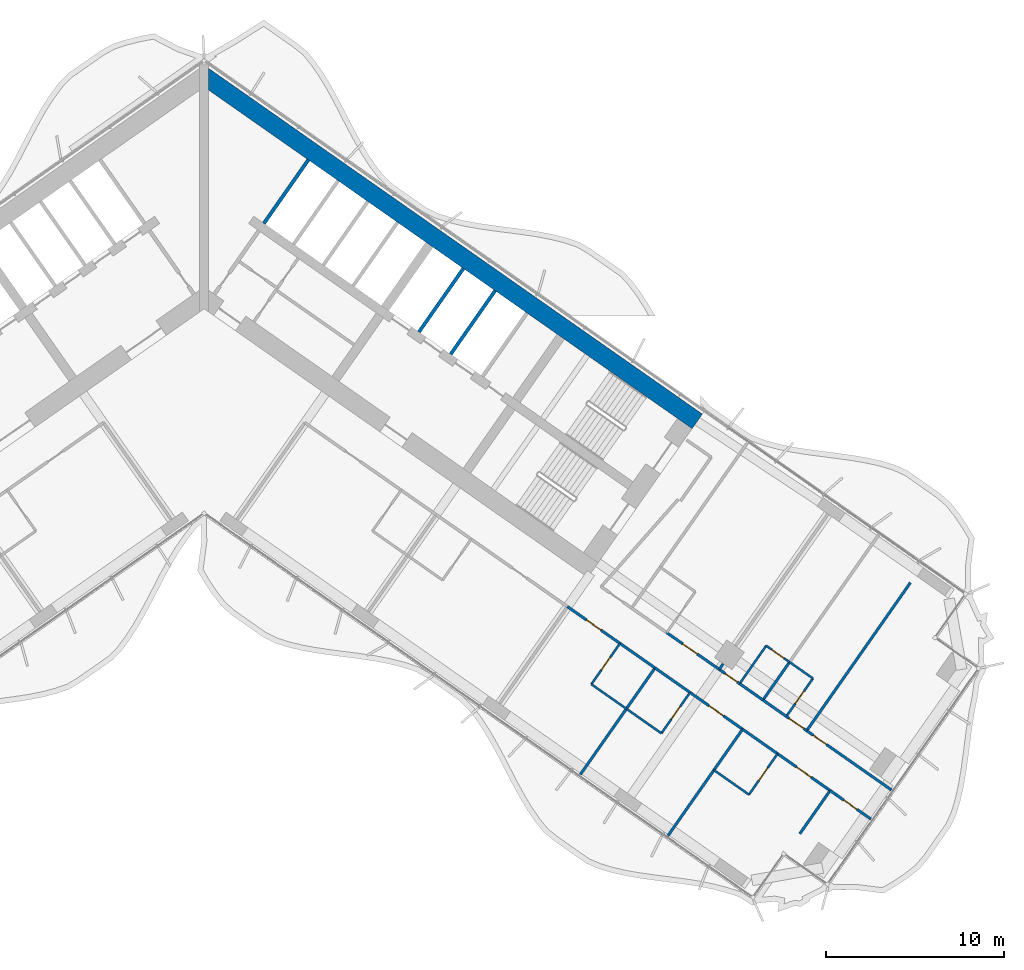
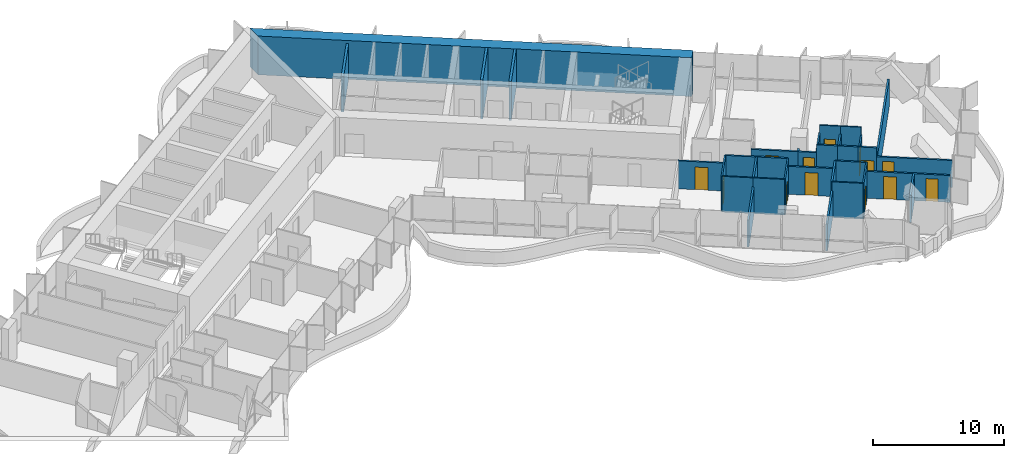
# One storey, part 16 of 24: 35 walls, 13 doors, 13 openings.
"""IFC4 building model written with IfcOpenShell, lengths in metres."""

import ifcopenshell
import ifcopenshell.guid

model = None  # the IFC model being written
_history = None  # IfcOwnerHistory: only IFC2X3 demands one
_inside = {}  # id of a spatial element -> (the spatial element, [elements in it])
_under = {}  # id of a project, library or spatial element -> (it, [spatial elements below it])
_declared = {}  # id of a project -> (the project, [libraries it declares])
_typed = {}  # id of a type object -> (the type object, [elements of that type])
_made_of = {}  # id of a material, layer set ... -> (it, [elements and type objects made of it])


def new_model(schema):
    """Start an empty IFC model of exactly this schema.

    Asked for "IFC4X3", IfcOpenShell would pick the latest addendum, in which some entities
    have other attributes; the version numbers below select the first issue.
    IFC2X3 requires an IfcOwnerHistory on every rooted entity: one is made here for all.
    """
    global model, _history
    if schema == "IFC4X3":
        model = ifcopenshell.file(schema_version=(4, 3, 0, 0))
    else:
        model = ifcopenshell.file(schema=schema)
    _inside.clear()
    _under.clear()
    _declared.clear()
    _typed.clear()
    _made_of.clear()
    _history = None
    if model.schema == "IFC2X3":
        org = make("IfcOrganization", Name="unknown")
        user = make(
            "IfcPersonAndOrganization",
            ThePerson=make("IfcPerson", FamilyName="unknown"),
            TheOrganization=org,
        )
        app = make(
            "IfcApplication",
            ApplicationDeveloper=org,
            Version="unknown",
            ApplicationFullName="unknown",
            ApplicationIdentifier="unknown",
        )
        _history = make(
            "IfcOwnerHistory",
            OwningUser=user,
            OwningApplication=app,
            ChangeAction="ADDED",
            CreationDate=0,
        )
    return model


def make(cls, **values):
    """One entity of the class cls with the attributes given. An attribute that is None is left unset."""
    return model.create_entity(
        cls, **{name: value for name, value in values.items() if value is not None}
    )


def rooted(cls, **values):
    """An entity with a GlobalId (a new one), such as an element, a storey or a relation."""
    return make(cls, GlobalId=ifcopenshell.guid.new(), OwnerHistory=_history, **values)


def si_unit(unit_type, name, prefix=None):
    """IfcSIUnit, for example si_unit("LENGTHUNIT", "METRE", prefix="MILLI")."""
    return make("IfcSIUnit", UnitType=unit_type, Prefix=prefix, Name=name)


def assignment(units):
    """IfcUnitAssignment: the units of a project."""
    return None if units is None else make("IfcUnitAssignment", Units=units)


def point(xyz):
    """IfcCartesianPoint."""
    return None if xyz is None else make("IfcCartesianPoint", Coordinates=xyz)


def direction(xyz):
    """IfcDirection."""
    return None if xyz is None else make("IfcDirection", DirectionRatios=xyz)


def frame(location, z_axis=None, x_axis=None):
    """IfcAxis2Placement3D, a coordinate frame: its origin and axes. An axis left out is left unset."""
    return make(
        "IfcAxis2Placement3D",
        Location=point(location),
        Axis=direction(z_axis),
        RefDirection=direction(x_axis),
    )


def frame_2d(location, x_axis=None):
    """IfcAxis2Placement2D, a coordinate frame in the plane: its origin and x axis."""
    return make(
        "IfcAxis2Placement2D", Location=point(location), RefDirection=direction(x_axis)
    )


def origin():
    """The frame at (0, 0, 0) with its axes left unset."""
    return frame((0.0, 0.0, 0.0))


def place(relative_to, where):
    """IfcLocalPlacement: puts the frame where relative to a parent placement (None: the world)."""
    return make(
        "IfcLocalPlacement", PlacementRelTo=relative_to, RelativePlacement=where
    )


def context(
    kind, dimensions, precision=None, world=None, true_north=None, identifier=None
):
    """IfcGeometricRepresentationContext, for example the 3D "Model" context."""
    return make(
        "IfcGeometricRepresentationContext",
        ContextIdentifier=identifier,
        ContextType=kind,
        CoordinateSpaceDimension=dimensions,
        Precision=precision,
        WorldCoordinateSystem=world,
        TrueNorth=true_north,
    )


def subcontext(parent, identifier, kind, view, scale=None):
    """IfcGeometricRepresentationSubContext, for example "Body" below "Model"."""
    return make(
        "IfcGeometricRepresentationSubContext",
        ContextIdentifier=identifier,
        ContextType=kind,
        ParentContext=parent,
        TargetScale=scale,
        TargetView=view,
    )


def project(units=None, contexts=None):
    """IfcProject with its units and contexts."""
    return rooted(
        "IfcProject",
        Name="project",
        RepresentationContexts=contexts,
        UnitsInContext=assignment(units),
    )


def spatial(cls, under=None, at=None, **own):
    """A site, building, storey or space (cls), placed at a placement, below another one or the project."""
    s = rooted(cls, ObjectPlacement=at, **own)
    if under is not None:
        _under.setdefault(under.id(), (under, []))[1].append(s)
    return s


def polyline(points):
    """IfcPolyline through the points."""
    return make("IfcPolyline", Points=[point(p) for p in points])


def profile(cls, at=None, kind="AREA", **sizes):
    """A parametric profile (cls). Its sizes go by their IFC names, for example OverallWidth=200.0."""
    return make(cls, ProfileType=kind, Position=at, **sizes)


def rectangle(**sizes):
    """IfcRectangleProfileDef."""
    return profile("IfcRectangleProfileDef", **sizes)


def outline(outer, holes=None, kind="AREA"):
    """IfcArbitraryClosedProfileDef: a profile drawn as a closed curve; with holes, ...WithVoids."""
    if holes is None:
        return make("IfcArbitraryClosedProfileDef", ProfileType=kind, OuterCurve=outer)
    return make(
        "IfcArbitraryProfileDefWithVoids",
        ProfileType=kind,
        OuterCurve=outer,
        InnerCurves=holes,
    )


def extrude(swept, where, along, depth):
    """IfcExtrudedAreaSolid: the profile swept, set in the frame where, extruded along a direction by depth."""
    return make(
        "IfcExtrudedAreaSolid",
        SweptArea=swept,
        Position=where,
        ExtrudedDirection=direction(along),
        Depth=depth,
    )


def shape(context_of_items, identifier, shape_type, items):
    """IfcShapeRepresentation: the items that make up one representation, for example the "Body"."""
    return make(
        "IfcShapeRepresentation",
        ContextOfItems=context_of_items,
        RepresentationIdentifier=identifier,
        RepresentationType=shape_type,
        Items=items,
    )


def material(Name=None, Category=None):
    """IfcMaterial."""
    return make("IfcMaterial", Name=Name, Category=Category)


def layer(
    of_material, thickness, ventilated=None, Name=None, Category=None, Priority=None
):
    """IfcMaterialLayer: one layer of a wall or slab, of a material (None: an air gap)."""
    return make(
        "IfcMaterialLayer",
        Material=of_material,
        LayerThickness=thickness,
        IsVentilated=ventilated,
        Name=Name,
        Category=Category,
        Priority=Priority,
    )


def layer_set(layers, Name=None):
    """IfcMaterialLayerSet."""
    return make("IfcMaterialLayerSet", MaterialLayers=layers, LayerSetName=Name)


def made_of(thing, what):
    """Note that an element or type object is made of a material, layer set ...; save() writes the relation."""
    if what is not None:
        _made_of.setdefault(what.id(), (what, []))[1].append(thing)
    return thing


def type_object(cls, material=None, **own):
    """A type object (cls), such as IfcWallType, which elements share."""
    return made_of(rooted(cls, **own), material)


def element(
    cls,
    number,
    at=None,
    inside=None,
    cuts=None,
    type_object=None,
    material=None,
    context=None,
    identifier="Body",
    shape_type=None,
    held_by="IfcProductDefinitionShape",
    body=None,
    shapes=None,
    **own,
):
    """One element of the class cls, such as IfcWall. Its Tag is "e" and its number.

    at: its placement. inside: the storey or other place that contains it. cuts: it is an
    opening in that element (IfcRelVoidsElement). A single representation is given by context,
    identifier, shape_type and body (its items); several are given by shapes. held_by: the class
    of the entity that holds the representations. save() writes the other relations.
    """
    e = rooted(cls, Tag="e%d" % number, ObjectPlacement=at, **own)
    if body is not None:
        shapes = [shape(context, identifier, shape_type, body)]
    if shapes is not None:
        e.Representation = make(held_by, Representations=shapes)
    if inside is not None:
        _inside.setdefault(inside.id(), (inside, []))[1].append(e)
    if cuts is not None:
        rooted(
            "IfcRelVoidsElement", RelatingBuildingElement=cuts, RelatedOpeningElement=e
        )
    if type_object is not None:
        _typed.setdefault(type_object.id(), (type_object, []))[1].append(e)
    return made_of(e, material)


def fill(opening, filler):
    """IfcRelFillsElement: the door or window that sits in an opening."""
    return rooted(
        "IfcRelFillsElement",
        RelatingOpeningElement=opening,
        RelatedBuildingElement=filler,
    )


def aggregate(whole, parts):
    """IfcRelAggregates: a whole, such as a stair, and the parts it consists of."""
    return rooted("IfcRelAggregates", RelatingObject=whole, RelatedObjects=parts)


def save(model, path):
    """Write the relations noted so far, then the file.

    IfcRelAggregates (storeys below a building ...), IfcRelContainedInSpatialStructure (elements
    in a storey), IfcRelDefinesByType, IfcRelAssociatesMaterial and IfcRelDeclares: one each for
    every whole, place, type object, material and project.
    """
    for whole, parts in _under.values():
        aggregate(whole, parts)
    for where, things in _inside.values():
        rooted(
            "IfcRelContainedInSpatialStructure",
            RelatedElements=things,
            RelatingStructure=where,
        )
    for kind, things in _typed.values():
        rooted("IfcRelDefinesByType", RelatedObjects=things, RelatingType=kind)
    for what, things in _made_of.values():
        rooted("IfcRelAssociatesMaterial", RelatedObjects=things, RelatingMaterial=what)
    for by, libraries in _declared.values():
        rooted("IfcRelDeclares", RelatingContext=by, RelatedDefinitions=libraries)
    model.write(path)


model = new_model("IFC4")

# Units and contexts
model_context = context("Model", 3, precision=1e-05, world=origin(), true_north=direction((0.0, 1.0)))
body_context = subcontext(model_context, "Body", "Model", "MODEL_VIEW")
ifc_project = project(units=[si_unit("LENGTHUNIT", "METRE"), si_unit("AREAUNIT", "SQUARE_METRE"), si_unit("VOLUMEUNIT", "CUBIC_METRE"), si_unit("PLANEANGLEUNIT", "RADIAN"), si_unit("MASSUNIT", "GRAM", prefix="KILO")], contexts=[model_context])

# Site, building, storey
site_placement = place(None, origin())
site = spatial("IfcSite", under=ifc_project, at=site_placement, CompositionType="ELEMENT")
building_placement = place(site_placement, origin())
building = spatial("IfcBuilding", under=site, at=building_placement, Name="Tel Ilan Convention Tower", CompositionType="ELEMENT")
storey_placement = place(building_placement, frame((0.0, 0.0, 72.5)))
storey = spatial("IfcBuildingStorey", under=building, at=storey_placement, Name="L13", CompositionType="ELEMENT", Elevation=72.5)

# Walls
ifc_material_1 = material(Name="Concrete C30/37", Category="concrete")
ifc_layer_1 = layer(ifc_material_1, 0.199951171875)
ifc_layer_set_1 = layer_set([ifc_layer_1], Name="Core Service Room Wall 200 mm C30/37")
wall_type_1 = type_object("IfcWallType", Name="Core Service Room Wall 200 mm C30/37", PredefinedType="SOLIDWALL", material=ifc_layer_set_1)
wall_1_placement = place(storey_placement, frame((3.355224609375, 3.5712890625, 0.0), z_axis=(0.0, 0.0, 1.0), x_axis=(0.57356780395, 0.819158088694, 0.0)))
element("IfcWall", 1, at=wall_1_placement, inside=storey, type_object=wall_type_1, Name="L13 core wall apex-E-b", PredefinedType="SOLIDWALL", context=body_context, shape_type="SweptSolid", body=[
    extrude(rectangle(XDim=4.35009765625, YDim=0.199951171875, at=frame_2d((2.175048828125, 0.0))), origin(), (0.0, 0.0, 1.0), 3.320068359375),
])
ifc_material_2 = material(Name="Concrete C60/75", Category="concrete")
ifc_layer_2 = layer(ifc_material_2, 1.0)
ifc_layer_set_2 = layer_set([ifc_layer_2], Name="Core Shear Wall 1000 mm C60/75")
wall_type_2 = type_object("IfcWallType", Name="Core Shear Wall 1000 mm C60/75", PredefinedType="SHEAR", material=ifc_layer_set_2)
wall_2_placement = place(storey_placement, frame((-0.036865234375, 11.8671875, 0.0), z_axis=(0.0, 0.0, 1.0), x_axis=(0.819155306259, -0.573571777746, 0.0)))
element("IfcWall", 2, at=wall_2_placement, inside=storey, type_object=wall_type_2, Name="L13 core wall E-back", PredefinedType="SHEAR", context=body_context, shape_type="SweptSolid", body=[
    extrude(outline(polyline([(33.8369140625, 0.5), (0.0, 0.5), (0.7001953125, -0.499755859375), (33.8369140625, -0.5), (33.8369140625, 0.5)])), origin(), (0.0, 0.0, 1.0), 3.60009765625),
])

# Wall, opening, door
ifc_material_3 = material(Name="Plasterboard on Steel Studs", Category="steel")
ifc_layer_3 = layer(ifc_material_3, 0.14990234375)
ifc_layer_set_3 = layer_set([ifc_layer_3], Name="Fire-rated Partition 150 EI 60")
wall_type_3 = type_object("IfcWallType", Name="Fire-rated Partition 150 EI 60", PredefinedType="PARTITIONING", material=ifc_layer_set_3)
wall_3_placement = place(storey_placement, frame((25.966064453125, -19.402587890625, 0.0), z_axis=(0.0, 0.0, 1.0), x_axis=(0.81917779803, -0.57353965444, 0.0)))
wall_3 = element("IfcWall", 3, at=wall_3_placement, inside=storey, type_object=wall_type_3, Name="Partition 002", PredefinedType="PARTITIONING", context=body_context, shape_type="SweptSolid", body=[
    extrude(rectangle(XDim=3.602783203125, YDim=0.14990234375, at=frame_2d((1.80126953125, 0.0))), origin(), (0.0, 0.0, 1.0), 2.60009765625),
])
opening_1_placement = place(wall_3_placement, frame((1.10107421875, 0.0, 0.0)))
opening_1 = element("IfcOpeningElement", 4, at=opening_1_placement, cuts=wall_3, Name="Opening L13-032", PredefinedType="OPENING", context=body_context, shape_type="SweptSolid", body=[
    extrude(rectangle(XDim=1.0, YDim=2.10009765625, at=frame_2d((0.5, 1.050048828125))), frame((0.0, 0.0849609375, 0.0), z_axis=(0.0, -1.0, 0.0), x_axis=(1.0, 0.0, 0.0)), (0.0, 0.0, 1.0), 0.169921875),
])
ifc_material_4 = material(Name="Timber Door Leaf in Steel Frame", Category="steel")
door_type_1 = type_object("IfcDoorType", Name="Hotel Room Entrance Fire Door 1000x2100", OperationType="NOTDEFINED", PredefinedType="DOOR", material=ifc_material_4)
door_1_placement = place(opening_1_placement, origin())
door_1 = element("IfcDoor", 5, at=door_1_placement, inside=storey, type_object=door_type_1, Name="Door L13-032", OperationType="SINGLE_SWING_RIGHT", OverallHeight=2.10009765625, OverallWidth=1.0, PredefinedType="DOOR", context=body_context, shape_type="SweptSolid", body=[
    extrude(rectangle(XDim=1.0, YDim=2.10009765625, at=frame_2d((0.5, 1.050048828125))), frame((0.0, 0.02490234375, 0.0), z_axis=(0.0, -1.0, 0.0), x_axis=(1.0, 0.0, 0.0)), (0.0, 0.0, 1.0), 0.050048828125),
])
fill(opening_1, door_1)

wall_4_placement = place(storey_placement, frame((30.0634765625, -22.271484375, 0.0), z_axis=(0.0, 0.0, 1.0), x_axis=(-0.81914197737, 0.573590813132, 0.0)))
wall_4 = element("IfcWall", 6, at=wall_4_placement, inside=storey, type_object=wall_type_3, Name="Partition 004", PredefinedType="PARTITIONING", context=body_context, shape_type="SweptSolid", body=[
    extrude(rectangle(XDim=1.40283203125, YDim=0.14990234375, at=frame_2d((0.701416015625, 0.0))), origin(), (0.0, 0.0, 1.0), 2.60009765625),
])
opening_2_placement = place(wall_4_placement, frame((0.14990234375, 0.0, 0.0)))
opening_2 = element("IfcOpeningElement", 7, at=opening_2_placement, cuts=wall_4, Name="Opening L13-034", PredefinedType="OPENING", context=body_context, shape_type="SweptSolid", body=[
    extrude(rectangle(XDim=0.85009765625, YDim=2.10009765625, at=frame_2d((0.425048828125, 1.050048828125))), frame((0.0, 0.0849609375, 0.0), z_axis=(0.0, -1.0, 0.0), x_axis=(1.0, 0.0, 0.0)), (0.0, 0.0, 1.0), 0.169921875),
])
ifc_material_5 = material(Name="Timber Door Leaf in Steel Frame", Category="steel")
door_type_2 = type_object("IfcDoorType", Name="Room Fire Door 850x2100", OperationType="NOTDEFINED", PredefinedType="DOOR", material=ifc_material_5)
door_2_placement = place(opening_2_placement, origin())
door_2 = element("IfcDoor", 8, at=door_2_placement, inside=storey, type_object=door_type_2, Name="Door L13-034", OperationType="SINGLE_SWING_LEFT", OverallHeight=2.10009765625, OverallWidth=0.85009765625, PredefinedType="DOOR", context=body_context, shape_type="SweptSolid", body=[
    extrude(rectangle(XDim=0.85009765625, YDim=2.10009765625, at=frame_2d((0.425048828125, 1.050048828125))), frame((0.0, 0.02490234375, 0.0), z_axis=(0.0, -1.0, 0.0), x_axis=(1.0, 0.0, 0.0)), (0.0, 0.0, 1.0), 0.050048828125),
])
fill(opening_2, door_2)

# Wall
wall_5_placement = place(storey_placement, frame((30.06103515625, -22.269775390625, 0.0), z_axis=(0.0, 0.0, 1.0), x_axis=(0.819189013667, -0.573523634986, 0.0)))
element("IfcWall", 9, at=wall_5_placement, inside=storey, type_object=wall_type_3, Name="Partition 005", PredefinedType="PARTITIONING", context=body_context, shape_type="SweptSolid", body=[
    extrude(rectangle(XDim=1.60400390625, YDim=0.14990234375, at=frame_2d((0.802001953125, 0.0))), origin(), (0.0, 0.0, 1.0), 3.320068359375),
])

# Wall, opening, door
wall_6_placement = place(storey_placement, frame((32.68310546875, -24.105712890625, 0.0), z_axis=(0.0, 0.0, 1.0), x_axis=(0.819199220913, -0.573509055252, 0.0)))
wall_6 = element("IfcWall", 10, at=wall_6_placement, inside=storey, type_object=wall_type_3, Name="Partition 006", PredefinedType="PARTITIONING", context=body_context, shape_type="SweptSolid", body=[
    extrude(rectangle(XDim=1.403076171875, YDim=0.14990234375, at=frame_2d((0.70166015625, 0.0))), origin(), (0.0, 0.0, 1.0), 3.320068359375),
])
opening_3_placement = place(wall_6_placement, frame((0.200927734375, 0.0, 0.0)))
opening_3 = element("IfcOpeningElement", 11, at=opening_3_placement, cuts=wall_6, Name="Opening L13-036", PredefinedType="OPENING", context=body_context, shape_type="SweptSolid", body=[
    extrude(rectangle(XDim=1.0, YDim=2.10009765625, at=frame_2d((0.5, 1.050048828125))), frame((0.0, 0.0849609375, 0.0), z_axis=(0.0, -1.0, 0.0), x_axis=(1.0, 0.0, 0.0)), (0.0, 0.0, 1.0), 0.169921875),
])
door_3_placement = place(opening_3_placement, origin())
door_3 = element("IfcDoor", 12, at=door_3_placement, inside=storey, type_object=door_type_1, Name="Door L13-036", OperationType="SINGLE_SWING_LEFT", OverallHeight=2.10009765625, OverallWidth=1.0, PredefinedType="DOOR", context=body_context, shape_type="SweptSolid", body=[
    extrude(rectangle(XDim=1.0, YDim=2.10009765625, at=frame_2d((0.5, 1.050048828125))), frame((0.0, 0.02490234375, 0.0), z_axis=(0.0, -1.0, 0.0), x_axis=(1.0, 0.0, 0.0)), (0.0, 0.0, 1.0), 0.050048828125),
])
fill(opening_3, door_3)

# Wall
wall_7_placement = place(storey_placement, frame((31.37158203125, -23.1875, 0.0), z_axis=(0.0, 0.0, 1.0), x_axis=(0.819189013667, -0.573523634986, 0.0)))
element("IfcWall", 13, at=wall_7_placement, inside=storey, type_object=wall_type_3, Name="Partition 007", PredefinedType="PARTITIONING", context=body_context, shape_type="SweptSolid", body=[
    extrude(rectangle(XDim=1.60400390625, YDim=0.14990234375, at=frame_2d((0.802001953125, 0.0))), origin(), (0.0, 0.0, 1.0), 3.320068359375),
])

# Wall, opening, door
wall_8_placement = place(storey_placement, frame((33.8291015625, -24.908203125, 0.0), z_axis=(0.0, 0.0, 1.0), x_axis=(0.819150860942, -0.573578126342, 0.0)))
wall_8 = element("IfcWall", 14, at=wall_8_placement, inside=storey, type_object=wall_type_3, Name="Partition 008", PredefinedType="PARTITIONING", context=body_context, shape_type="SweptSolid", body=[
    extrude(rectangle(XDim=5.802001953125, YDim=0.14990234375, at=frame_2d((2.90087890625, 0.0))), origin(), (0.0, 0.0, 1.0), 2.5),
])
opening_4_placement = place(wall_8_placement, frame((0.450927734375, 0.0, 0.0)))
opening_4 = element("IfcOpeningElement", 15, at=opening_4_placement, cuts=wall_8, Name="Opening L13-037", PredefinedType="OPENING", context=body_context, shape_type="SweptSolid", body=[
    extrude(rectangle(XDim=0.89990234375, YDim=2.10009765625, at=frame_2d((0.449951171875, 1.050048828125))), frame((0.0, 0.0849609375, 0.0), z_axis=(0.0, -1.0, 0.0), x_axis=(1.0, 0.0, 0.0)), (0.0, 0.0, 1.0), 0.169921875),
])
ifc_material_6 = material(Name="Timber Door Leaf in Steel Frame", Category="steel")
door_type_3 = type_object("IfcDoorType", Name="Room Fire Door 900x2100", OperationType="NOTDEFINED", PredefinedType="DOOR", material=ifc_material_6)
door_4_placement = place(opening_4_placement, origin())
door_4 = element("IfcDoor", 16, at=door_4_placement, inside=storey, type_object=door_type_3, Name="Door L13-037", OperationType="SINGLE_SWING_RIGHT", OverallHeight=2.10009765625, OverallWidth=0.89990234375, PredefinedType="DOOR", context=body_context, shape_type="SweptSolid", body=[
    extrude(rectangle(XDim=0.89990234375, YDim=2.10009765625, at=frame_2d((0.449951171875, 1.050048828125))), frame((0.0, 0.02490234375, 0.0), z_axis=(0.0, -1.0, 0.0), x_axis=(1.0, 0.0, 0.0)), (0.0, 0.0, 1.0), 0.050048828125),
])
fill(opening_4, door_4)

wall_9_placement = place(storey_placement, frame((23.34619140625, -20.009521484375, 0.0), z_axis=(0.0, 0.0, 1.0), x_axis=(-0.819145961204, 0.573585123798, 0.0)))
wall_9 = element("IfcWall", 17, at=wall_9_placement, inside=storey, type_object=wall_type_3, Name="Partition 013", PredefinedType="PARTITIONING", context=body_context, shape_type="SweptSolid", body=[
    extrude(rectangle(XDim=3.60302734375, YDim=0.14990234375, at=frame_2d((1.801513671875, 0.0))), origin(), (0.0, 0.0, 1.0), 2.60009765625),
])
opening_5_placement = place(wall_9_placement, frame((1.301025390625, 0.0, 0.0)))
opening_5 = element("IfcOpeningElement", 18, at=opening_5_placement, cuts=wall_9, Name="Opening L13-024", PredefinedType="OPENING", context=body_context, shape_type="SweptSolid", body=[
    extrude(rectangle(XDim=1.0, YDim=2.10009765625, at=frame_2d((0.5, 1.050048828125))), frame((0.0, 0.0849609375, 0.0), z_axis=(0.0, -1.0, 0.0), x_axis=(1.0, 0.0, 0.0)), (0.0, 0.0, 1.0), 0.169921875),
])
door_5_placement = place(opening_5_placement, origin())
door_5 = element("IfcDoor", 19, at=door_5_placement, inside=storey, type_object=door_type_1, Name="Door L13-024", OperationType="SINGLE_SWING_RIGHT", OverallHeight=2.10009765625, OverallWidth=1.0, PredefinedType="DOOR", context=body_context, shape_type="SweptSolid", body=[
    extrude(rectangle(XDim=1.0, YDim=2.10009765625, at=frame_2d((0.5, 1.050048828125))), frame((0.0, 0.02490234375, 0.0), z_axis=(0.0, -1.0, 0.0), x_axis=(1.0, 0.0, 0.0)), (0.0, 0.0, 1.0), 0.050048828125),
])
fill(opening_5, door_5)

# Wall
wall_10_placement = place(storey_placement, frame((25.31298828125, -21.38671875, 0.0), z_axis=(0.0, 0.0, 1.0), x_axis=(-0.819146032251, 0.573585022335, 0.0)))
element("IfcWall", 20, at=wall_10_placement, inside=storey, type_object=wall_type_3, Name="Partition 014", PredefinedType="PARTITIONING", context=body_context, shape_type="SweptSolid", body=[
    extrude(rectangle(XDim=2.404052734375, YDim=0.14990234375, at=frame_2d((1.2021484375, 0.0))), origin(), (0.0, 0.0, 1.0), 3.320068359375),
])

# Wall, opening, door
wall_11_placement = place(storey_placement, frame((30.227783203125, -24.828125, 0.0), z_axis=(0.0, 0.0, 1.0), x_axis=(-0.819145961204, 0.573585123798, 0.0)))
wall_11 = element("IfcWall", 21, at=wall_11_placement, inside=storey, type_object=wall_type_3, Name="Partition 015", PredefinedType="PARTITIONING", context=body_context, shape_type="SweptSolid", body=[
    extrude(rectangle(XDim=3.60302734375, YDim=0.14990234375, at=frame_2d((1.801513671875, 0.0))), origin(), (0.0, 0.0, 1.0), 2.60009765625),
])
opening_6_placement = place(wall_11_placement, frame((1.302001953125, 0.0, 0.0)))
opening_6 = element("IfcOpeningElement", 22, at=opening_6_placement, cuts=wall_11, Name="Opening L13-026", PredefinedType="OPENING", context=body_context, shape_type="SweptSolid", body=[
    extrude(rectangle(XDim=1.0, YDim=2.10009765625, at=frame_2d((0.5, 1.050048828125))), frame((0.0, 0.0849609375, 0.0), z_axis=(0.0, -1.0, 0.0), x_axis=(1.0, 0.0, 0.0)), (0.0, 0.0, 1.0), 0.169921875),
])
door_6_placement = place(opening_6_placement, origin())
door_6 = element("IfcDoor", 23, at=door_6_placement, inside=storey, type_object=door_type_1, Name="Door L13-026", OperationType="SINGLE_SWING_RIGHT", OverallHeight=2.10009765625, OverallWidth=1.0, PredefinedType="DOOR", context=body_context, shape_type="SweptSolid", body=[
    extrude(rectangle(XDim=1.0, YDim=2.10009765625, at=frame_2d((0.5, 1.050048828125))), frame((0.0, 0.02490234375, 0.0), z_axis=(0.0, -1.0, 0.0), x_axis=(1.0, 0.0, 0.0)), (0.0, 0.0, 1.0), 0.050048828125),
])
fill(opening_6, door_6)

# Wall
wall_12_placement = place(storey_placement, frame((27.27880859375, -22.76318359375, 0.0), z_axis=(0.0, 0.0, 1.0), x_axis=(-0.819146032251, 0.573585022335, 0.0)))
element("IfcWall", 24, at=wall_12_placement, inside=storey, type_object=wall_type_3, Name="Partition 016", PredefinedType="PARTITIONING", context=body_context, shape_type="SweptSolid", body=[
    extrude(rectangle(XDim=2.404052734375, YDim=0.14990234375, at=frame_2d((1.2021484375, 0.0))), origin(), (0.0, 0.0, 1.0), 3.320068359375),
])

# Wall, opening, door
wall_13_placement = place(storey_placement, frame((35.142822265625, -28.26953125, 0.0), z_axis=(0.0, 0.0, 1.0), x_axis=(-0.819145961204, 0.573585123798, 0.0)))
wall_13 = element("IfcWall", 25, at=wall_13_placement, inside=storey, type_object=wall_type_3, Name="Partition 017", PredefinedType="PARTITIONING", context=body_context, shape_type="SweptSolid", body=[
    extrude(rectangle(XDim=3.60302734375, YDim=0.14990234375, at=frame_2d((1.801513671875, 0.0))), origin(), (0.0, 0.0, 1.0), 2.5),
])
opening_7_placement = place(wall_13_placement, frame((1.302001953125, 0.0, 0.0)))
opening_7 = element("IfcOpeningElement", 26, at=opening_7_placement, cuts=wall_13, Name="Opening L13-028", PredefinedType="OPENING", context=body_context, shape_type="SweptSolid", body=[
    extrude(rectangle(XDim=1.0, YDim=2.10009765625, at=frame_2d((0.5, 1.050048828125))), frame((0.0, 0.0849609375, 0.0), z_axis=(0.0, -1.0, 0.0), x_axis=(1.0, 0.0, 0.0)), (0.0, 0.0, 1.0), 0.169921875),
])
door_7_placement = place(opening_7_placement, origin())
door_7 = element("IfcDoor", 27, at=door_7_placement, inside=storey, type_object=door_type_1, Name="Door L13-028", OperationType="SINGLE_SWING_RIGHT", OverallHeight=2.10009765625, OverallWidth=1.0, PredefinedType="DOOR", context=body_context, shape_type="SweptSolid", body=[
    extrude(rectangle(XDim=1.0, YDim=2.10009765625, at=frame_2d((0.5, 1.050048828125))), frame((0.0, 0.02490234375, 0.0), z_axis=(0.0, -1.0, 0.0), x_axis=(1.0, 0.0, 0.0)), (0.0, 0.0, 1.0), 0.050048828125),
])
fill(opening_7, door_7)

# Wall
wall_14_placement = place(storey_placement, frame((32.19384765625, -26.20458984375, 0.0), z_axis=(0.0, 0.0, 1.0), x_axis=(-0.819146032251, 0.573585022335, 0.0)))
element("IfcWall", 28, at=wall_14_placement, inside=storey, type_object=wall_type_3, Name="Partition 018", PredefinedType="PARTITIONING", context=body_context, shape_type="SweptSolid", body=[
    extrude(rectangle(XDim=2.404052734375, YDim=0.14990234375, at=frame_2d((1.2021484375, 0.0))), origin(), (0.0, 0.0, 1.0), 3.320068359375),
])

# Wall, opening, door
wall_15_placement = place(storey_placement, frame((37.434814453125, -29.87451171875, 0.0), z_axis=(0.0, 0.0, 1.0), x_axis=(-0.819125488359, 0.573614360281, 0.0)))
wall_15 = element("IfcWall", 29, at=wall_15_placement, inside=storey, type_object=wall_type_3, Name="Partition 019", PredefinedType="PARTITIONING", context=body_context, shape_type="SweptSolid", body=[
    extrude(rectangle(XDim=2.80224609375, YDim=0.14990234375, at=frame_2d((1.401123046875, 0.0))), origin(), (0.0, 0.0, 1.0), 2.5),
])
opening_8_placement = place(wall_15_placement, frame((0.950927734375, 0.0, 0.0)))
opening_8 = element("IfcOpeningElement", 30, at=opening_8_placement, cuts=wall_15, Name="Opening L13-029", PredefinedType="OPENING", context=body_context, shape_type="SweptSolid", body=[
    extrude(rectangle(XDim=0.89990234375, YDim=2.10009765625, at=frame_2d((0.449951171875, 1.050048828125))), frame((0.0, 0.0849609375, 0.0), z_axis=(0.0, -1.0, 0.0), x_axis=(1.0, 0.0, 0.0)), (0.0, 0.0, 1.0), 0.169921875),
])
door_8_placement = place(opening_8_placement, origin())
door_8 = element("IfcDoor", 31, at=door_8_placement, inside=storey, type_object=door_type_3, Name="Door L13-029", OperationType="SINGLE_SWING_LEFT", OverallHeight=2.10009765625, OverallWidth=0.89990234375, PredefinedType="DOOR", context=body_context, shape_type="SweptSolid", body=[
    extrude(rectangle(XDim=0.89990234375, YDim=2.10009765625, at=frame_2d((0.449951171875, 1.050048828125))), frame((0.0, 0.02490234375, 0.0), z_axis=(0.0, -1.0, 0.0), x_axis=(1.0, 0.0, 0.0)), (0.0, 0.0, 1.0), 0.050048828125),
])
fill(opening_8, door_8)

# Walls
wall_16_placement = place(storey_placement, frame((29.1337890625, -21.156494140625, 0.0), z_axis=(0.0, 0.0, 1.0), x_axis=(-0.572944929411, -0.819593867633, 0.0)))
element("IfcWall", 32, at=wall_16_placement, inside=storey, type_object=wall_type_3, Name="Partition 046", PredefinedType="PARTITIONING", context=body_context, shape_type="SweptSolid", body=[
    extrude(rectangle(XDim=0.380126953125, YDim=0.14990234375, at=frame_2d((0.18994140625, 0.0))), origin(), (0.0, 0.0, 1.0), 2.60009765625),
])
wall_17_placement = place(storey_placement, frame((32.86474609375, -21.058837890625, 0.0), z_axis=(0.0, 0.0, 1.0), x_axis=(-0.573600972199, -0.819134863556, 0.0)))
element("IfcWall", 33, at=wall_17_placement, inside=storey, type_object=wall_type_3, Name="Partition 050", PredefinedType="PARTITIONING", context=body_context, shape_type="SweptSolid", body=[
    extrude(rectangle(XDim=2.60009765625, YDim=0.14990234375, at=frame_2d((1.300048828125, 0.0))), origin(), (0.0, 0.0, 1.0), 2.60009765625),
])
wall_18_placement = place(storey_placement, frame((39.64892578125, -16.60009765625, 0.0), z_axis=(0.0, 0.0, 1.0), x_axis=(-0.573567334802, -0.819158417187, 0.0)))
element("IfcWall", 34, at=wall_18_placement, inside=storey, type_object=wall_type_3, Name="Partition 053", PredefinedType="PARTITIONING", context=body_context, shape_type="SweptSolid", body=[
    extrude(rectangle(XDim=10.143798828125, YDim=0.14990234375, at=frame_2d((5.07177734375, 0.0))), origin(), (0.0, 0.0, 1.0), 2.60009765625),
])
wall_19_placement = place(storey_placement, frame((23.70458984375, -23.679931640625, 0.0), z_axis=(0.0, 0.0, 1.0), x_axis=(-0.573553393703, -0.819168178442, 0.0)))
element("IfcWall", 35, at=wall_19_placement, inside=storey, type_object=wall_type_3, Name="Partition 064", PredefinedType="PARTITIONING", context=body_context, shape_type="SweptSolid", body=[
    extrude(rectangle(XDim=4.498779296875, YDim=0.14990234375, at=frame_2d((2.24951171875, 0.0))), origin(), (0.0, 0.0, 1.0), 2.5),
])
wall_20_placement = place(storey_placement, frame((25.311279296875, -21.385498046875, 0.0), z_axis=(0.0, 0.0, 1.0), x_axis=(-0.573550118428, -0.819170471667, 0.0)))
element("IfcWall", 36, at=wall_20_placement, inside=storey, type_object=wall_type_3, Name="Partition 065", PredefinedType="PARTITIONING", context=body_context, shape_type="SweptSolid", body=[
    extrude(rectangle(XDim=2.800048828125, YDim=0.14990234375, at=frame_2d((1.39990234375, 0.0))), origin(), (0.0, 0.0, 1.0), 3.320068359375),
])
wall_21_placement = place(storey_placement, frame((28.620849609375, -27.11962890625, 0.0), z_axis=(0.0, 0.0, 1.0), x_axis=(-0.573593387921, -0.81914017441, 0.0)))
element("IfcWall", 37, at=wall_21_placement, inside=storey, type_object=wall_type_3, Name="Partition 068", PredefinedType="PARTITIONING", context=body_context, shape_type="SweptSolid", body=[
    extrude(rectangle(XDim=4.5009765625, YDim=0.14990234375, at=frame_2d((2.25048828125, 0.0))), origin(), (0.0, 0.0, 1.0), 2.5),
])
wall_22_placement = place(storey_placement, frame((30.226318359375, -24.826904296875, 0.0), z_axis=(0.0, 0.0, 1.0), x_axis=(-0.573614360281, -0.819125488359, 0.0)))
element("IfcWall", 38, at=wall_22_placement, inside=storey, type_object=wall_type_3, Name="Partition 069", PredefinedType="PARTITIONING", context=body_context, shape_type="SweptSolid", body=[
    extrude(rectangle(XDim=2.80224609375, YDim=0.14990234375, at=frame_2d((1.401123046875, 0.0))), origin(), (0.0, 0.0, 1.0), 3.320068359375),
])
wall_23_placement = place(storey_placement, frame((35.14111328125, -28.268310546875, 0.0), z_axis=(0.0, 0.0, 1.0), x_axis=(-0.573578404522, -0.819150666157, 0.0)))
element("IfcWall", 39, at=wall_23_placement, inside=storey, type_object=wall_type_3, Name="Partition 072", PredefinedType="PARTITIONING", context=body_context, shape_type="SweptSolid", body=[
    extrude(rectangle(XDim=2.964599609375, YDim=0.14990234375, at=frame_2d((1.482421875, 0.0))), origin(), (0.0, 0.0, 1.0), 2.5),
])
ifc_material_7 = material(Name="Concrete C30/37", Category="concrete")
ifc_layer_4 = layer(ifc_material_7, 0.199951171875)
ifc_layer_set_4 = layer_set([ifc_layer_4], Name="Lift Shaft Wall 200 mm C30/37")
wall_type_4 = type_object("IfcWallType", Name="Lift Shaft Wall 200 mm C30/37", PredefinedType="SOLIDWALL", material=ifc_layer_set_4)
wall_24_placement = place(storey_placement, frame((12.05859375, -2.52294921875, 0.0), z_axis=(0.0, 0.0, 1.0), x_axis=(0.573594173421, 0.819139624372, 0.0)))
element("IfcWall", 40, at=wall_24_placement, inside=storey, type_object=wall_type_4, Name="L13 core wall bank-E2-p0", PredefinedType="SOLIDWALL", context=body_context, shape_type="SweptSolid", body=[
    extrude(rectangle(XDim=4.349853515625, YDim=0.199951171875, at=frame_2d((2.1748046875, 0.0))), origin(), (0.0, 0.0, 1.0), 3.60009765625),
])
wall_25_placement = place(storey_placement, frame((13.84033203125, -3.7705078125, 0.0), z_axis=(0.0, 0.0, 1.0), x_axis=(0.57356780395, 0.819158088694, 0.0)))
element("IfcWall", 41, at=wall_25_placement, inside=storey, type_object=wall_type_4, Name="L13 core wall bank-E2-p1", PredefinedType="SOLIDWALL", context=body_context, shape_type="SweptSolid", body=[
    extrude(rectangle(XDim=4.35009765625, YDim=0.199951171875, at=frame_2d((2.175048828125, 0.0))), origin(), (0.0, 0.0, 1.0), 3.60009765625),
])

# Wall, opening, door
ifc_material_8 = material(Name="Plasterboard on Steel Studs", Category="steel")
ifc_layer_5 = layer(ifc_material_8, 0.1201171875)
ifc_layer_set_5 = layer_set([ifc_layer_5], Name="Moisture-resistant Partition 120")
wall_type_5 = type_object("IfcWallType", Name="Moisture-resistant Partition 120", PredefinedType="PARTITIONING", material=ifc_layer_set_5)
wall_26_placement = place(storey_placement, frame((32.865234375, -21.05810546875, 0.0), z_axis=(0.0, 0.0, 1.0), x_axis=(-0.819131543282, 0.57360571371, 0.0)))
wall_26 = element("IfcWall", 42, at=wall_26_placement, inside=storey, type_object=wall_type_5, Name="Partition 047", PredefinedType="PARTITIONING", context=body_context, shape_type="SweptSolid", body=[
    extrude(rectangle(XDim=1.599853515625, YDim=0.1201171875, at=frame_2d((0.7998046875, 0.0))), origin(), (0.0, 0.0, 1.0), 3.320068359375),
])
opening_9_placement = place(wall_26_placement, frame((0.375, 0.0, 0.0)))
opening_9 = element("IfcOpeningElement", 43, at=opening_9_placement, cuts=wall_26, Name="Opening L13-033", PredefinedType="OPENING", context=body_context, shape_type="SweptSolid", body=[
    extrude(rectangle(XDim=0.85009765625, YDim=2.050048828125, at=frame_2d((0.425048828125, 1.02490234375))), frame((0.0, 0.070068359375, 0.0), z_axis=(0.0, -1.0, 0.0), x_axis=(1.0, 0.0, 0.0)), (0.0, 0.0, 1.0), 0.14013671875),
])
ifc_material_9 = material(Name="Timber Door Leaf in Steel Frame", Category="steel")
door_type_4 = type_object("IfcDoorType", Name="Bathroom Timber Door 850x2050", OperationType="NOTDEFINED", PredefinedType="DOOR", material=ifc_material_9)
door_9_placement = place(opening_9_placement, origin())
door_9 = element("IfcDoor", 44, at=door_9_placement, inside=storey, type_object=door_type_4, Name="Door L13-033", OperationType="SINGLE_SWING_LEFT", OverallHeight=2.050048828125, OverallWidth=0.85009765625, PredefinedType="DOOR", context=body_context, shape_type="SweptSolid", body=[
    extrude(rectangle(XDim=0.85009765625, YDim=2.050048828125, at=frame_2d((0.425048828125, 1.02490234375))), frame((0.0, 0.02490234375, 0.0), z_axis=(0.0, -1.0, 0.0), x_axis=(1.0, 0.0, 0.0)), (0.0, 0.0, 1.0), 0.050048828125),
])
fill(opening_9, door_9)

# Wall
wall_27_placement = place(storey_placement, frame((31.55322265625, -20.140380859375, 0.0), z_axis=(0.0, 0.0, 1.0), x_axis=(-0.573537965655, -0.819178980414, 0.0)))
element("IfcWall", 45, at=wall_27_placement, inside=storey, type_object=wall_type_5, Name="Partition 048", PredefinedType="PARTITIONING", context=body_context, shape_type="SweptSolid", body=[
    extrude(rectangle(XDim=2.60009765625, YDim=0.1201171875, at=frame_2d((1.300048828125, 0.0))), origin(), (0.0, 0.0, 1.0), 2.60009765625),
])

# Wall, opening, door
wall_28_placement = place(storey_placement, frame((32.684814453125, -24.10693359375, 0.0), z_axis=(0.0, 0.0, 1.0), x_axis=(0.573537965655, 0.819178980414, 0.0)))
wall_28 = element("IfcWall", 46, at=wall_28_placement, inside=storey, type_object=wall_type_5, Name="Partition 051", PredefinedType="PARTITIONING", context=body_context, shape_type="SweptSolid", body=[
    extrude(rectangle(XDim=2.60009765625, YDim=0.1201171875, at=frame_2d((1.300048828125, 0.0))), origin(), (0.0, 0.0, 1.0), 2.60009765625),
])
opening_10_placement = place(wall_28_placement, frame((0.875, 0.0, 0.0)))
opening_10 = element("IfcOpeningElement", 47, at=opening_10_placement, cuts=wall_28, Name="Opening L13-035", PredefinedType="OPENING", context=body_context, shape_type="SweptSolid", body=[
    extrude(rectangle(XDim=0.85009765625, YDim=2.050048828125, at=frame_2d((0.425048828125, 1.02490234375))), frame((0.0, 0.070068359375, 0.0), z_axis=(0.0, -1.0, 0.0), x_axis=(1.0, 0.0, 0.0)), (0.0, 0.0, 1.0), 0.14013671875),
])
door_10_placement = place(opening_10_placement, origin())
door_10 = element("IfcDoor", 48, at=door_10_placement, inside=storey, type_object=door_type_4, Name="Door L13-035", OperationType="SINGLE_SWING_RIGHT", OverallHeight=2.050048828125, OverallWidth=0.85009765625, PredefinedType="DOOR", context=body_context, shape_type="SweptSolid", body=[
    extrude(rectangle(XDim=0.85009765625, YDim=2.050048828125, at=frame_2d((0.425048828125, 1.02490234375))), frame((0.0, 0.02490234375, 0.0), z_axis=(0.0, -1.0, 0.0), x_axis=(1.0, 0.0, 0.0)), (0.0, 0.0, 1.0), 0.050048828125),
])
fill(opening_10, door_10)

# Wall
wall_29_placement = place(storey_placement, frame((34.17578125, -21.9755859375, 0.0), z_axis=(0.0, 0.0, 1.0), x_axis=(-0.819203241359, 0.573503312412, 0.0)))
element("IfcWall", 49, at=wall_29_placement, inside=storey, type_object=wall_type_5, Name="Partition 052", PredefinedType="PARTITIONING", context=body_context, shape_type="SweptSolid", body=[
    extrude(rectangle(XDim=1.599853515625, YDim=0.1201171875, at=frame_2d((0.7998046875, 0.0))), origin(), (0.0, 0.0, 1.0), 3.320068359375),
])

# Wall, opening, door
wall_30_placement = place(storey_placement, frame((23.344482421875, -20.00830078125, 0.0), z_axis=(0.0, 0.0, 1.0), x_axis=(-0.573550118428, -0.819170471667, 0.0)))
wall_30 = element("IfcWall", 50, at=wall_30_placement, inside=storey, type_object=wall_type_5, Name="Partition 062", PredefinedType="PARTITIONING", context=body_context, shape_type="SweptSolid", body=[
    extrude(rectangle(XDim=2.800048828125, YDim=0.1201171875, at=frame_2d((1.39990234375, 0.0))), origin(), (0.0, 0.0, 1.0), 3.320068359375),
])
opening_11_placement = place(wall_30_placement, frame((0.97509765625, 0.0, 0.0)))
opening_11 = element("IfcOpeningElement", 51, at=opening_11_placement, cuts=wall_30, Name="Opening L13-023", PredefinedType="OPENING", context=body_context, shape_type="SweptSolid", body=[
    extrude(rectangle(XDim=0.85009765625, YDim=2.050048828125, at=frame_2d((0.425048828125, 1.02490234375))), frame((0.0, 0.070068359375, 0.0), z_axis=(0.0, -1.0, 0.0), x_axis=(1.0, 0.0, 0.0)), (0.0, 0.0, 1.0), 0.14013671875),
])
door_11_placement = place(opening_11_placement, origin())
door_11 = element("IfcDoor", 52, at=door_11_placement, inside=storey, type_object=door_type_4, Name="Door L13-023", OperationType="SINGLE_SWING_LEFT", OverallHeight=2.050048828125, OverallWidth=0.85009765625, PredefinedType="DOOR", context=body_context, shape_type="SweptSolid", body=[
    extrude(rectangle(XDim=0.85009765625, YDim=2.050048828125, at=frame_2d((0.425048828125, 1.02490234375))), frame((0.0, 0.02490234375, 0.0), z_axis=(0.0, -1.0, 0.0), x_axis=(1.0, 0.0, 0.0)), (0.0, 0.0, 1.0), 0.050048828125),
])
fill(opening_11, door_11)

# Walls
for number, where, z_axis, x_axis, name in (
    (53, (21.73876953125, -22.30322265625, 0.0), (0.0, 0.0, 1.0), (0.819107643868, -0.573639841501, 0.0), "Partition 063"),
    (54, (23.70458984375, -23.679931640625, 0.0), (0.0, 0.0, 1.0), (0.819188907105, -0.573523787192, 0.0), "Partition 066"),
):
    element("IfcWall", number, at=place(storey_placement, frame(where, z_axis=z_axis, x_axis=x_axis)), inside=storey, type_object=wall_type_5, Name=name, PredefinedType="PARTITIONING", context=body_context, shape_type="SweptSolid", body=[
        extrude(rectangle(XDim=2.39990234375, YDim=0.1201171875, at=frame_2d((1.199951171875, 0.0))), origin(), (0.0, 0.0, 1.0), 3.320068359375),
    ])

# Wall, opening, door
wall_31_placement = place(storey_placement, frame((25.672119140625, -25.056396484375, 0.0), z_axis=(0.0, 0.0, 1.0), x_axis=(0.573550118428, 0.819170471667, 0.0)))
wall_31 = element("IfcWall", 55, at=wall_31_placement, inside=storey, type_object=wall_type_5, Name="Partition 067", PredefinedType="PARTITIONING", context=body_context, shape_type="SweptSolid", body=[
    extrude(rectangle(XDim=2.800048828125, YDim=0.1201171875, at=frame_2d((1.39990234375, 0.0))), origin(), (0.0, 0.0, 1.0), 3.320068359375),
])
opening_12_placement = place(wall_31_placement, frame((0.97509765625, 0.0, 0.0)))
opening_12 = element("IfcOpeningElement", 56, at=opening_12_placement, cuts=wall_31, Name="Opening L13-025", PredefinedType="OPENING", context=body_context, shape_type="SweptSolid", body=[
    extrude(rectangle(XDim=0.85009765625, YDim=2.050048828125, at=frame_2d((0.425048828125, 1.02490234375))), frame((0.0, 0.070068359375, 0.0), z_axis=(0.0, -1.0, 0.0), x_axis=(1.0, 0.0, 0.0)), (0.0, 0.0, 1.0), 0.14013671875),
])
door_12_placement = place(opening_12_placement, origin())
door_12 = element("IfcDoor", 57, at=door_12_placement, inside=storey, type_object=door_type_4, Name="Door L13-025", OperationType="SINGLE_SWING_LEFT", OverallHeight=2.050048828125, OverallWidth=0.85009765625, PredefinedType="DOOR", context=body_context, shape_type="SweptSolid", body=[
    extrude(rectangle(XDim=0.85009765625, YDim=2.050048828125, at=frame_2d((0.425048828125, 1.02490234375))), frame((0.0, 0.02490234375, 0.0), z_axis=(0.0, -1.0, 0.0), x_axis=(1.0, 0.0, 0.0)), (0.0, 0.0, 1.0), 0.050048828125),
])
fill(opening_12, door_12)

# Wall
wall_32_placement = place(storey_placement, frame((28.61962890625, -27.121337890625, 0.0), z_axis=(0.0, 0.0, 1.0), x_axis=(0.819141114317, -0.573592045652, 0.0)))
element("IfcWall", 58, at=wall_32_placement, inside=storey, type_object=wall_type_5, Name="Partition 070", PredefinedType="PARTITIONING", context=body_context, shape_type="SweptSolid", body=[
    extrude(rectangle(XDim=2.400146484375, YDim=0.1201171875, at=frame_2d((1.2001953125, 0.0))), origin(), (0.0, 0.0, 1.0), 3.320068359375),
])

# Wall, opening, door
wall_33_placement = place(storey_placement, frame((30.5869140625, -28.497802734375, 0.0), z_axis=(0.0, 0.0, 1.0), x_axis=(0.573608623498, 0.819129505664, 0.0)))
wall_33 = element("IfcWall", 59, at=wall_33_placement, inside=storey, type_object=wall_type_5, Name="Partition 071", PredefinedType="PARTITIONING", context=body_context, shape_type="SweptSolid", body=[
    extrude(rectangle(XDim=2.800048828125, YDim=0.1201171875, at=frame_2d((1.39990234375, 0.0))), origin(), (0.0, 0.0, 1.0), 3.320068359375),
])
opening_13_placement = place(wall_33_placement, frame((0.97509765625, 0.0, 0.0)))
opening_13 = element("IfcOpeningElement", 60, at=opening_13_placement, cuts=wall_33, Name="Opening L13-027", PredefinedType="OPENING", context=body_context, shape_type="SweptSolid", body=[
    extrude(rectangle(XDim=0.85009765625, YDim=2.050048828125, at=frame_2d((0.425048828125, 1.02490234375))), frame((0.0, 0.070068359375, 0.0), z_axis=(0.0, -1.0, 0.0), x_axis=(1.0, 0.0, 0.0)), (0.0, 0.0, 1.0), 0.14013671875),
])
door_13_placement = place(opening_13_placement, origin())
door_13 = element("IfcDoor", 61, at=door_13_placement, inside=storey, type_object=door_type_4, Name="Door L13-027", OperationType="SINGLE_SWING_LEFT", OverallHeight=2.050048828125, OverallWidth=0.85009765625, PredefinedType="DOOR", context=body_context, shape_type="SweptSolid", body=[
    extrude(rectangle(XDim=0.85009765625, YDim=2.050048828125, at=frame_2d((0.425048828125, 1.02490234375))), frame((0.0, 0.02490234375, 0.0), z_axis=(0.0, -1.0, 0.0), x_axis=(1.0, 0.0, 0.0)), (0.0, 0.0, 1.0), 0.050048828125),
])
fill(opening_13, door_13)

save(model, "model.ifc")
